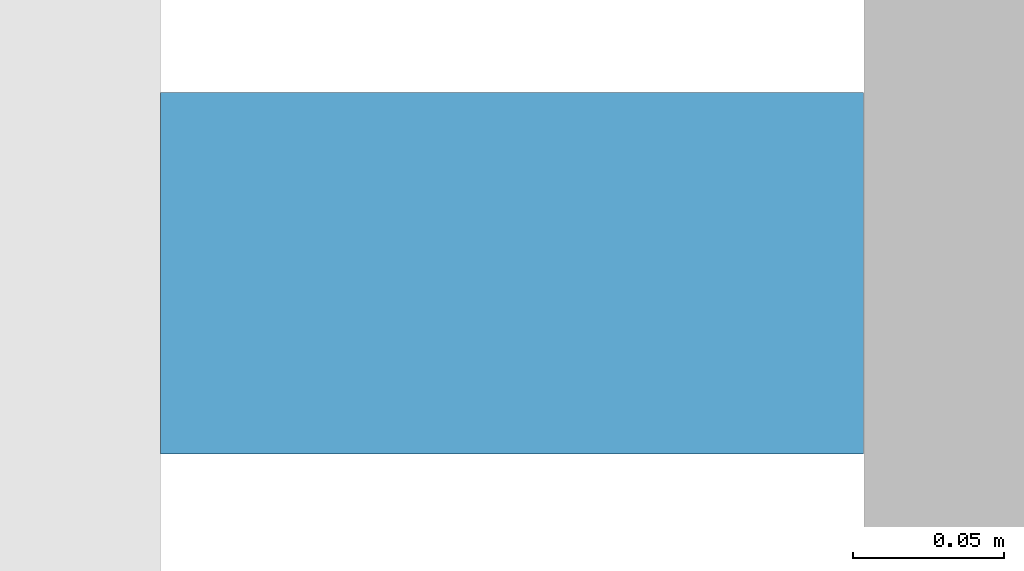
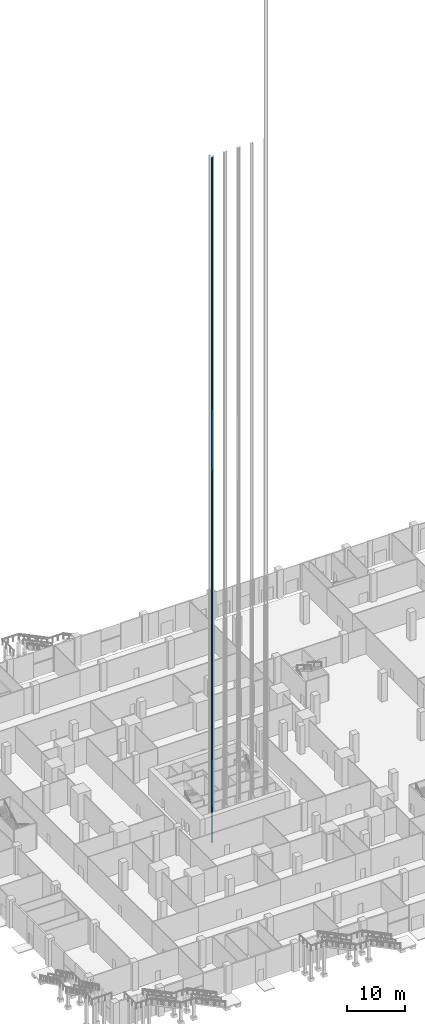
# One storey, part 40 of 68: 1 discrete accessory.
"""IFC4 building model written with IfcOpenShell, lengths in metres."""

from ifc_helpers import new_model, si_unit, direction, frame, origin, origin_2d, place, context, subcontext, project, spatial, rectangle, extrude, element, save


model = new_model("IFC4")

# Units and contexts
model_context = context("Model", 3, precision=1e-05, world=origin(), true_north=direction((0.0, 1.0)))
body_context = subcontext(model_context, "Body", "Model", "MODEL_VIEW")
ifc_project = project(units=[si_unit("LENGTHUNIT", "METRE"), si_unit("AREAUNIT", "SQUARE_METRE"), si_unit("VOLUMEUNIT", "CUBIC_METRE"), si_unit("PLANEANGLEUNIT", "RADIAN"), si_unit("MASSUNIT", "GRAM", prefix="KILO")], contexts=[model_context])

# Site, building, storey
site_placement = place(None, origin())
site = spatial("IfcSite", under=ifc_project, at=site_placement, CompositionType="ELEMENT")
building_placement = place(site_placement, origin())
building = spatial("IfcBuilding", under=site, at=building_placement, Name="Altepetl Exchange Towers", CompositionType="ELEMENT")
storey_placement = place(building_placement, origin())
storey = spatial("IfcBuildingStorey", under=building, at=storey_placement, Name="L00 Ground concourse", CompositionType="ELEMENT", Elevation=0.0)

# Discrete accessory
discrete_accessory_placement = place(storey_placement, frame((43.949951171875, 42.39990234375, -1.60009765625)))
element("IfcDiscreteAccessory", 1, at=discrete_accessory_placement, inside=storey, Name="Guide rail P1", ObjectType="GUIDE RAIL", PredefinedType="USERDEFINED", context=body_context, shape_type="SweptSolid", body=[
    extrude(rectangle(XDim=0.2333984375, YDim=0.1201171875, at=origin_2d()), origin(), (0.0, 0.0, 1.0), 144.85009765625),
])

save(model, "model.ifc")
